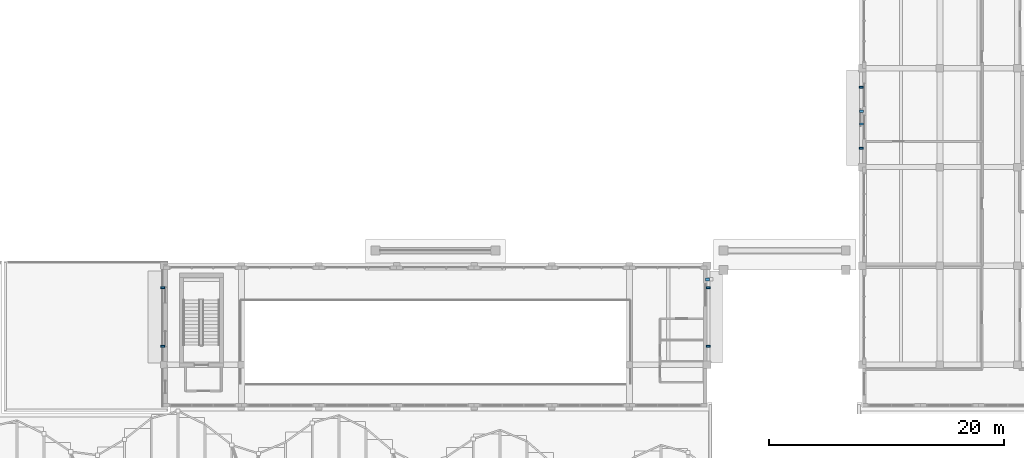
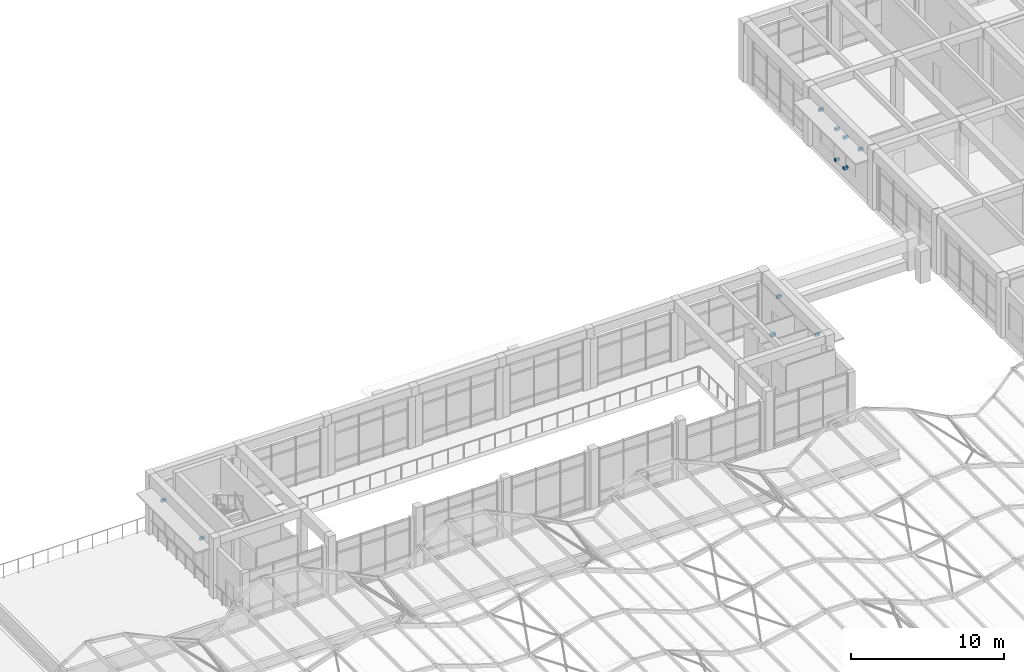
# One storey, part 65 of 79: 11 discrete accessories.
"""IFC4 building model written with IfcOpenShell, lengths in metres."""

from ifc_helpers import new_model, si_unit, direction, frame, origin, origin_2d, place, context, subcontext, project, spatial, rectangle, extrude, material, type_object, element, save


model = new_model("IFC4")

# Units and contexts
model_context = context("Model", 3, precision=1e-05, world=origin(), true_north=direction((0.0, 1.0)))
body_context = subcontext(model_context, "Body", "Model", "MODEL_VIEW")
ifc_project = project(units=[si_unit("LENGTHUNIT", "METRE"), si_unit("AREAUNIT", "SQUARE_METRE"), si_unit("VOLUMEUNIT", "CUBIC_METRE"), si_unit("PLANEANGLEUNIT", "RADIAN"), si_unit("MASSUNIT", "GRAM", prefix="KILO")], contexts=[model_context])

# Site, building, storey
site_placement = place(None, origin())
site = spatial("IfcSite", under=ifc_project, at=site_placement, CompositionType="ELEMENT")
building_placement = place(site_placement, origin())
building = spatial("IfcBuilding", under=site, at=building_placement, Name="Kolvaren Faculty of Natural Sciences", CompositionType="ELEMENT")
storey_placement = place(building_placement, frame((0.0, 0.0, 10.199951171875)))
storey = spatial("IfcBuildingStorey", under=building, at=storey_placement, Name="L02", CompositionType="ELEMENT", Elevation=10.199951171875)

# Discrete accessories
ifc_material = material(Name="Structural steel EN 10025-2 S355J2", Category="steel")
discrete_accessory_type = type_object("IfcDiscreteAccessoryType", Name="FacadeSupportBracket_260", PredefinedType="BRACKET", material=ifc_material)
for number, where, z_axis, x_axis, name in (
    (1, (118.89990234375, 94.2080078125, 3.56494140625), (0.0, 0.0, 1.0), (0.0, 1.0, 0.0), "L02 chhajja hood steel bracket"),
    (2, (118.89990234375, 99.39208984375, 3.56494140625), (0.0, 0.0, 1.0), (0.0, 1.0, 0.0), "L02 chhajja hood steel bracket"),
):
    element("IfcDiscreteAccessory", number, at=place(storey_placement, frame(where, z_axis=z_axis, x_axis=x_axis)), inside=storey, type_object=discrete_accessory_type, Name=name, PredefinedType="BRACKET", context=body_context, shape_type="SweptSolid", body=[
        extrude(rectangle(XDim=0.159912109375, YDim=0.340087890625, at=origin_2d()), origin(), (0.0, 0.0, 1.0), 0.219970703125),
    ])
for number, where, z_axis, x_axis, name in (
    (3, (118.93994140625, 96.2490234375, 0.81982421875), (0.0, 0.0, 1.0), (0.0, 1.0, 0.0), "L02 jali screen wall bracket"),
    (4, (118.93994140625, 97.35107421875, 0.81982421875), (0.0, 0.0, 1.0), (0.0, 1.0, 0.0), "L02 jali screen wall bracket"),
    (5, (118.93994140625, 96.2490234375, 3.26025390625), (0.0, 0.0, 1.0), (0.0, 1.0, 0.0), "L02 jali screen wall bracket"),
    (6, (118.93994140625, 97.35107421875, 3.26025390625), (0.0, 0.0, 1.0), (0.0, 1.0, 0.0), "L02 jali screen wall bracket"),
):
    element("IfcDiscreteAccessory", number, at=place(storey_placement, frame(where, z_axis=z_axis, x_axis=x_axis)), inside=storey, type_object=discrete_accessory_type, Name=name, PredefinedType="BRACKET", context=body_context, shape_type="SweptSolid", body=[
        extrude(rectangle(XDim=0.179931640625, YDim=0.320068359375, at=origin_2d()), origin(), (0.0, 0.0, 1.0), 0.219970703125),
    ])
discrete_accessory_placement = place(storey_placement, frame((105.840087890625, 83.050048828125, 0.10986328125), z_axis=(0.0, 0.0, 1.0), x_axis=(0.0, -1.0, 0.0)))
element("IfcDiscreteAccessory", 7, at=discrete_accessory_placement, inside=storey, type_object=discrete_accessory_type, Name="L02 facade relief pier anchor bracket 4", PredefinedType="BRACKET", context=body_context, shape_type="SweptSolid", body=[
    extrude(rectangle(XDim=0.239990234375, YDim=0.360107421875, at=origin_2d()), origin(), (0.0, 0.0, 1.0), 0.219970703125),
])
for number, where, z_axis, x_axis, name in (
    (8, (105.89990234375, 82.345947265625, 3.56494140625), (0.0, 0.0, 1.0), (0.0, -1.0, 0.0), "L02 chhajja hood steel bracket"),
    (9, (105.89990234375, 77.35400390625, 3.56494140625), (0.0, 0.0, 1.0), (0.0, -1.0, 0.0), "L02 chhajja hood steel bracket"),
    (10, (59.5, 77.35400390625, 3.56494140625), (0.0, 0.0, 1.0), (0.0, 1.0, 0.0), "L02 chhajja hood steel bracket"),
    (11, (59.5, 82.345947265625, 3.56494140625), (0.0, 0.0, 1.0), (0.0, 1.0, 0.0), "L02 chhajja hood steel bracket"),
):
    element("IfcDiscreteAccessory", number, at=place(storey_placement, frame(where, z_axis=z_axis, x_axis=x_axis)), inside=storey, type_object=discrete_accessory_type, Name=name, PredefinedType="BRACKET", context=body_context, shape_type="SweptSolid", body=[
        extrude(rectangle(XDim=0.159912109375, YDim=0.340087890625, at=origin_2d()), origin(), (0.0, 0.0, 1.0), 0.219970703125),
    ])

save(model, "model.ifc")
